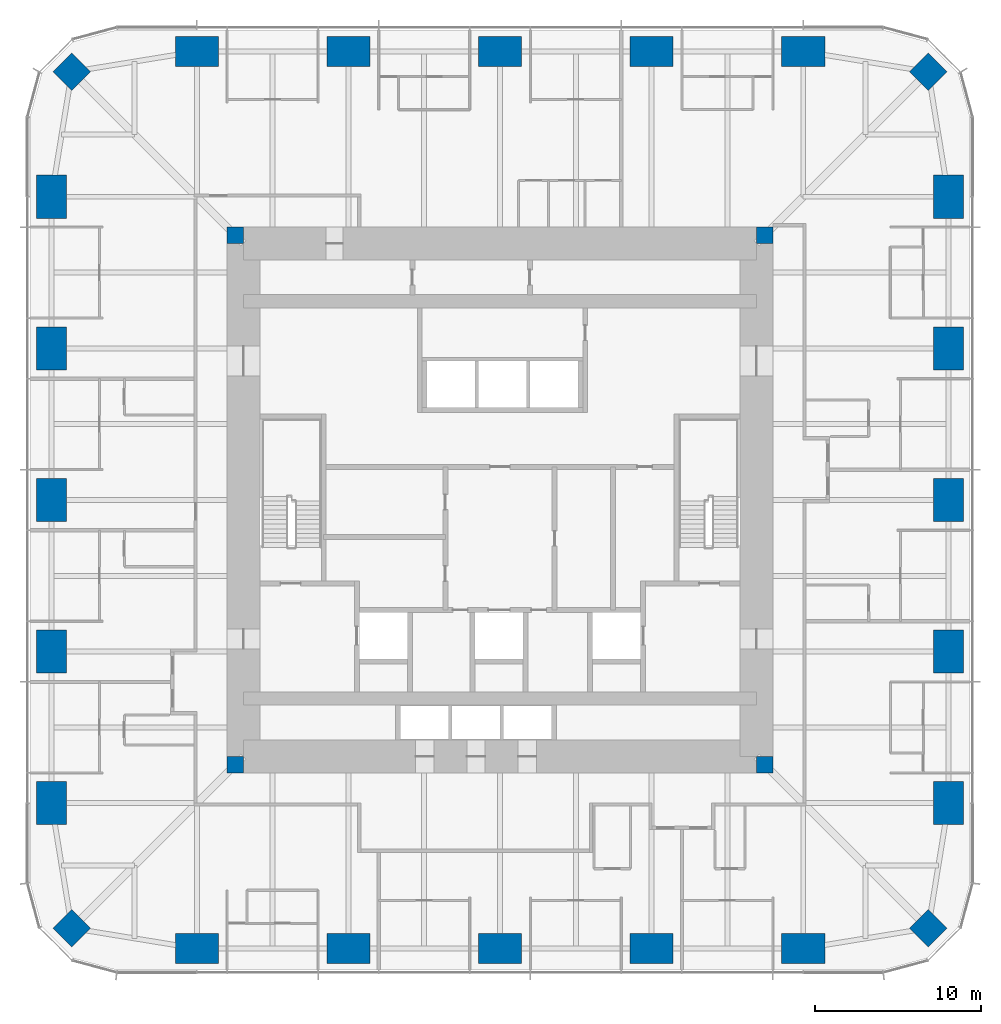
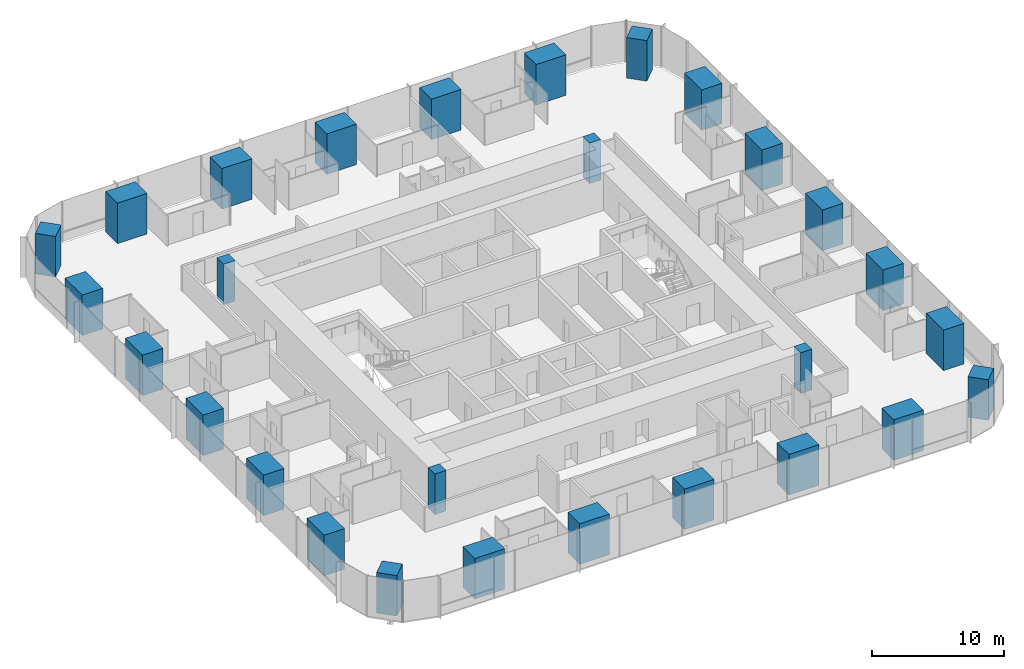
# One storey, part 1 of 13: 28 columns.
"""IFC4 building model written with IfcOpenShell, lengths in metres."""

from ifc_helpers import new_model, si_unit, direction, frame, origin, origin_2d, place, context, subcontext, project, spatial, rectangle, extrude, material, material_profile, profile_set, type_object, element, save


model = new_model("IFC4")

# Units and contexts
model_context = context("Model", 3, precision=1e-05, world=origin(), true_north=direction((0.0, 1.0)))
body_context = subcontext(model_context, "Body", "Model", "MODEL_VIEW")
ifc_project = project(units=[si_unit("LENGTHUNIT", "METRE"), si_unit("AREAUNIT", "SQUARE_METRE"), si_unit("VOLUMEUNIT", "CUBIC_METRE"), si_unit("PLANEANGLEUNIT", "RADIAN"), si_unit("MASSUNIT", "GRAM", prefix="KILO")], contexts=[model_context])

# Site, building, storey
site_placement = place(None, origin())
site = spatial("IfcSite", under=ifc_project, at=site_placement, CompositionType="ELEMENT")
building_placement = place(site_placement, origin())
building = spatial("IfcBuilding", under=site, at=building_placement, Name="Khuree Lantern Residences", CompositionType="ELEMENT")
storey_placement = place(building_placement, frame((0.0, 0.0, 156.0)))
storey = spatial("IfcBuildingStorey", under=building, at=storey_placement, Name="L39", CompositionType="ELEMENT", Elevation=156.0)

# Columns
ifc_material = material(Name="Concrete C70/85", Category="concrete")
ifc_material_profile_1 = material_profile(ifc_material, rectangle(XDim=1.60009765625, YDim=1.60009765625, at=origin_2d()), Name="RC 1600X1600")
ifc_profile_set_1 = profile_set([ifc_material_profile_1], Name="Concrete C70/85")
column_type_1 = type_object("IfcColumnType", Name="CC1600A PERIMETER CORNER COLUMN RC 1600X1600", PredefinedType="COLUMN", material=ifc_profile_set_1)
for number, where, z_axis, x_axis, name in (
    (1, (25.869873046875, 25.869873046875, 0.0), (0.0, 0.0, 1.0), (0.707106781187, -0.707106781187, 0.0), "Perimeter column NE"),
    (2, (25.869873046875, -25.869873046875, 0.0), (0.0, 0.0, 1.0), (0.707106781187, 0.707106781187, 0.0), "Perimeter column SE"),
    (3, (-25.869873046875, -25.869873046875, 0.0), (0.0, 0.0, 1.0), (0.707106781187, -0.707106781187, 0.0), "Perimeter column SW"),
    (4, (-25.869873046875, 25.869873046875, 0.0), (0.0, 0.0, 1.0), (0.707106781187, 0.707106781187, 0.0), "Perimeter column NW"),
):
    element("IfcColumn", number, at=place(storey_placement, frame(where, z_axis=z_axis, x_axis=x_axis)), inside=storey, type_object=column_type_1, Name=name, PredefinedType="COLUMN", context=body_context, shape_type="SweptSolid", body=[
        extrude(rectangle(XDim=1.60009765625, YDim=1.60009765625, at=origin_2d()), origin(), (0.0, 0.0, 1.0), 3.75),
    ])
ifc_material_profile_2 = material_profile(ifc_material, rectangle(XDim=1.0, YDim=1.0, at=origin_2d()), Name="RC 1000X1000")
ifc_profile_set_2 = profile_set([ifc_material_profile_2], Name="Concrete C70/85")
column_type_2 = type_object("IfcColumnType", Name="CP1000-C70 CORE CORNER PIER C70 RC 1000X1000", PredefinedType="COLUMN", material=ifc_profile_set_2)
for number, where, z_axis, x_axis, name in (
    (5, (16.0, 16.0, -0.25), (0.0, 0.0, 1.0), (1.0, 0.0, 0.0), "Core corner pier NE"),
    (6, (-16.0, 16.0, -0.25), (0.0, 0.0, 1.0), (1.0, 0.0, 0.0), "Core corner pier NW"),
    (7, (-16.0, -16.0, -0.25), (0.0, 0.0, 1.0), (1.0, 0.0, 0.0), "Core corner pier SW"),
    (8, (16.0, -16.0, -0.25), (0.0, 0.0, 1.0), (1.0, 0.0, 0.0), "Core corner pier SE"),
):
    element("IfcColumn", number, at=place(storey_placement, frame(where, z_axis=z_axis, x_axis=x_axis)), inside=storey, type_object=column_type_2, Name=name, PredefinedType="COLUMN", context=body_context, shape_type="SweptSolid", body=[
        extrude(rectangle(XDim=1.0, YDim=1.0, at=origin_2d()), origin(), (0.0, 0.0, 1.0), 3.75),
    ])
ifc_material_profile_3 = material_profile(ifc_material, rectangle(XDim=2.60009765625, YDim=1.800048828125, at=origin_2d()), Name="RC 2600X1800")
ifc_profile_set_3 = profile_set([ifc_material_profile_3], Name="Concrete C70/85")
column_type_3 = type_object("IfcColumnType", Name="PC3 PERIMETER COLUMN RC 2600X1800", PredefinedType="COLUMN", material=ifc_profile_set_3)
for number, where, z_axis, x_axis, name in (
    (9, (-18.320068359375, 27.10009765625, 0.0), (0.0, 0.0, 1.0), (1.0, 0.0, 0.0), "Perimeter column N1"),
    (10, (-9.159912109375, 27.10009765625, 0.0), (0.0, 0.0, 1.0), (1.0, 0.0, 0.0), "Perimeter column N2"),
    (11, (0.0, 27.10009765625, 0.0), (0.0, 0.0, 1.0), (1.0, 0.0, 0.0), "Perimeter column N3"),
    (12, (9.159912109375, 27.10009765625, 0.0), (0.0, 0.0, 1.0), (1.0, 0.0, 0.0), "Perimeter column N4"),
    (13, (18.320068359375, 27.10009765625, 0.0), (0.0, 0.0, 1.0), (1.0, 0.0, 0.0), "Perimeter column N5"),
    (14, (27.10009765625, 18.320068359375, 0.0), (0.0, 0.0, 1.0), (0.0, 1.0, 0.0), "Perimeter column E1"),
    (15, (27.10009765625, 9.159912109375, 0.0), (0.0, 0.0, 1.0), (0.0, 1.0, 0.0), "Perimeter column E2"),
    (16, (27.10009765625, 0.0, 0.0), (0.0, 0.0, 1.0), (0.0, 1.0, 0.0), "Perimeter column E3"),
    (17, (27.10009765625, -9.159912109375, 0.0), (0.0, 0.0, 1.0), (0.0, 1.0, 0.0), "Perimeter column E4"),
    (18, (27.10009765625, -18.320068359375, 0.0), (0.0, 0.0, 1.0), (0.0, 1.0, 0.0), "Perimeter column E5"),
    (19, (18.320068359375, -27.10009765625, 0.0), (0.0, 0.0, 1.0), (1.0, 0.0, 0.0), "Perimeter column S1"),
    (20, (9.159912109375, -27.10009765625, 0.0), (0.0, 0.0, 1.0), (1.0, 0.0, 0.0), "Perimeter column S2"),
    (21, (0.0, -27.10009765625, 0.0), (0.0, 0.0, 1.0), (1.0, 0.0, 0.0), "Perimeter column S3"),
    (22, (-9.159912109375, -27.10009765625, 0.0), (0.0, 0.0, 1.0), (1.0, 0.0, 0.0), "Perimeter column S4"),
    (23, (-18.320068359375, -27.10009765625, 0.0), (0.0, 0.0, 1.0), (1.0, 0.0, 0.0), "Perimeter column S5"),
    (24, (-27.10009765625, -18.320068359375, 0.0), (0.0, 0.0, 1.0), (0.0, 1.0, 0.0), "Perimeter column W1"),
    (25, (-27.10009765625, -9.159912109375, 0.0), (0.0, 0.0, 1.0), (0.0, 1.0, 0.0), "Perimeter column W2"),
    (26, (-27.10009765625, 0.0, 0.0), (0.0, 0.0, 1.0), (0.0, 1.0, 0.0), "Perimeter column W3"),
    (27, (-27.10009765625, 9.159912109375, 0.0), (0.0, 0.0, 1.0), (0.0, 1.0, 0.0), "Perimeter column W4"),
    (28, (-27.10009765625, 18.320068359375, 0.0), (0.0, 0.0, 1.0), (0.0, 1.0, 0.0), "Perimeter column W5"),
):
    element("IfcColumn", number, at=place(storey_placement, frame(where, z_axis=z_axis, x_axis=x_axis)), inside=storey, type_object=column_type_3, Name=name, PredefinedType="COLUMN", context=body_context, shape_type="SweptSolid", body=[
        extrude(rectangle(XDim=2.60009765625, YDim=1.800048828125, at=origin_2d()), origin(), (0.0, 0.0, 1.0), 3.75),
    ])

save(model, "model.ifc")
